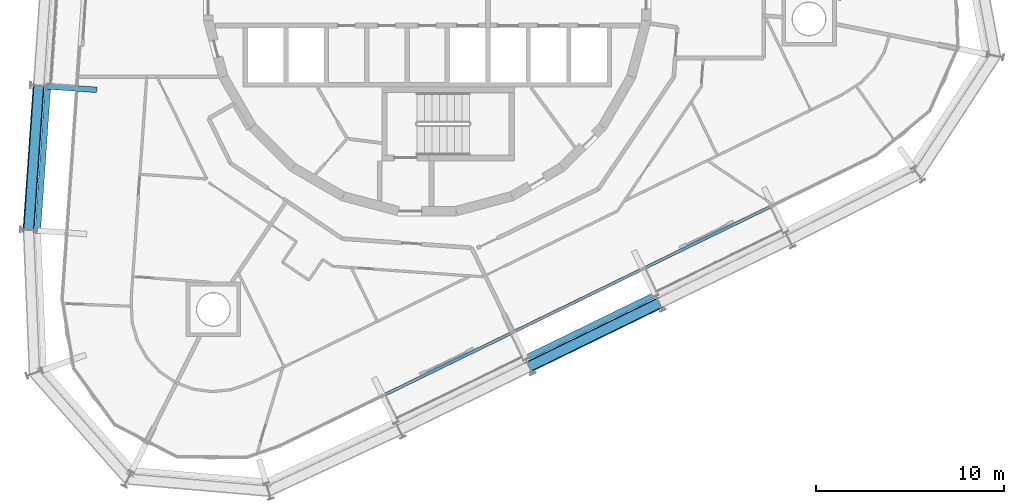
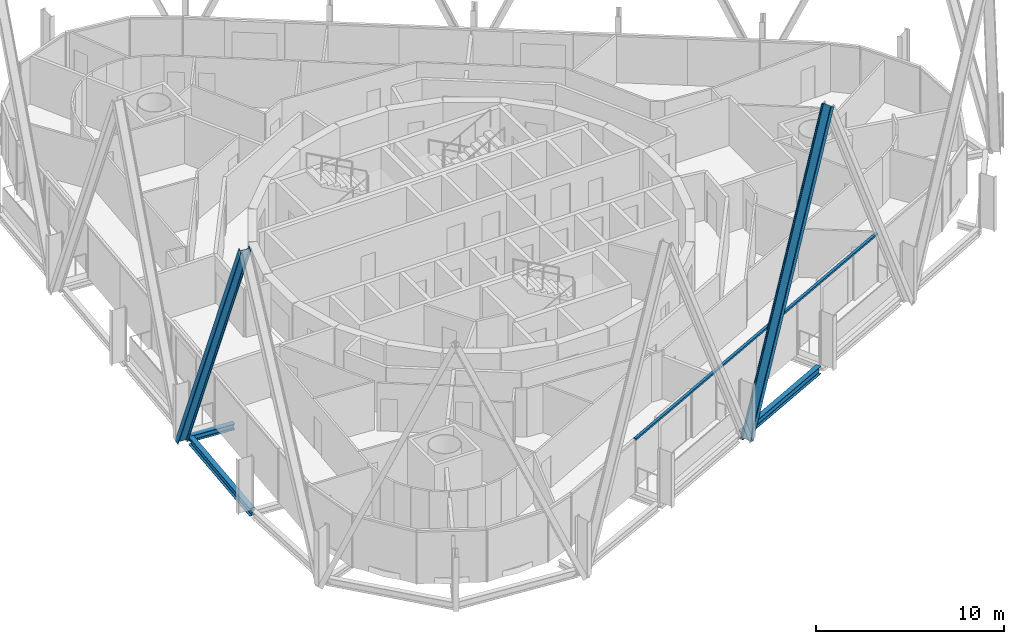
# One storey, part 3 of 18: 3 beams, 3 members, 1 element without a shape of its own.
"""IFC4 building model written with IfcOpenShell, lengths in metres."""

from ifc_helpers import new_model, si_unit, direction, frame, origin, origin_2d, place, context, subcontext, project, spatial, rectangle, i_section, extrude, material, layer, layer_set, material_profile, profile_set, type_object, element, aggregate, save


model = new_model("IFC4")

# Units and contexts
model_context = context("Model", 3, precision=1e-05, world=origin(), true_north=direction((0.0, 1.0)))
body_context = subcontext(model_context, "Body", "Model", "MODEL_VIEW")
ifc_project = project(units=[si_unit("LENGTHUNIT", "METRE"), si_unit("AREAUNIT", "SQUARE_METRE"), si_unit("VOLUMEUNIT", "CUBIC_METRE"), si_unit("PLANEANGLEUNIT", "RADIAN"), si_unit("MASSUNIT", "GRAM", prefix="KILO")], contexts=[model_context])

# Site, building, storey
site_placement = place(None, origin())
site = spatial("IfcSite", under=ifc_project, at=site_placement, CompositionType="ELEMENT")
building_placement = place(site_placement, origin())
building = spatial("IfcBuilding", under=site, at=building_placement, Name="Spindle Arch Residences", CompositionType="ELEMENT")
storey_placement = place(building_placement, frame((0.0, 0.0, 202.39990234375)))
storey = spatial("IfcBuildingStorey", under=building, at=storey_placement, Name="L51", CompositionType="ELEMENT", Elevation=202.39990234375)

# Curtain wall, member
ifc_material_1 = material(Name="Aluminium bronze unitised frame with tinted glass", Category="aluminium")
ifc_layer = layer(ifc_material_1, 0.159912109375)
ifc_layer_set = layer_set([ifc_layer], Name="CW-C typical residential unitised wall")
curtain_wall_type = type_object("IfcCurtainWallType", Name="CW-C typical residential unitised wall", PredefinedType="NOTDEFINED", material=ifc_layer_set)
curtain_wall_placement = place(storey_placement, origin())
curtain_wall = element("IfcCurtainWall", 1, at=curtain_wall_placement, inside=storey, type_object=curtain_wall_type, Name="CW-C L51 run 6", PredefinedType="NOTDEFINED")
ifc_material_2 = material(Name="Aluminium bronze anodised transom", Category="aluminium")
ifc_material_profile_1 = material_profile(ifc_material_2, rectangle(XDim=0.159912109375, YDim=0.1201171875, at=origin_2d()), Name="TR 120x160")
ifc_profile_set_1 = profile_set([ifc_material_profile_1], Name="Aluminium bronze anodised transom")
member_type_1 = type_object("IfcMemberType", Name="Bronze transom 120x160", PredefinedType="USERDEFINED", material=ifc_profile_set_1)
member_placement = place(storey_placement, frame((-2.340576171875, -21.45849609375, 3.06005859375), z_axis=(0.898793313451, 0.438372649347, 0.0), x_axis=(-0.438372649347, 0.898793313451, 0.0)))
member = element("IfcMember", 2, at=member_placement, type_object=member_type_1, Name="CW-C transom 00", ObjectType="TRANSOM", PredefinedType="USERDEFINED", context=body_context, shape_type="SweptSolid", body=[
    extrude(rectangle(XDim=0.159912109375, YDim=0.1201171875, at=origin_2d()), origin(), (0.0, 0.0, 1.0), 23.02099609375),
])
aggregate(curtain_wall, [member])

# Members
ifc_material_3 = material(Name="Steel S460ML, intumescent coating R 240", Category="steel")
ifc_material_profile_2 = material_profile(ifc_material_3, i_section(OverallWidth=0.304931640625, OverallDepth=0.6201171875, WebThickness=0.02099609375, FlangeThickness=0.0400390625, FilletRadius=0.027099609375, at=origin_2d()), Name="HEM 600")
ifc_profile_set_2 = profile_set([ifc_material_profile_2], Name="Steel S460ML, intumescent coating R 240")
member_type_2 = type_object("IfcMemberType", Name="Diagrid diagonal HEM 600", PredefinedType="BRACE", material=ifc_profile_set_2)
for number, where, z_axis, x_axis, name in (
    (3, (-20.6787109375, -4.981201171875, -0.6298828125), (-0.028379331728, -0.405883836306, 0.913483948932), (0.063715094162, 0.911259190205, 0.406874765798), "Diagrid diagonal 5.2.16"),
    (4, (5.43310546875, -19.91455078125, -0.6298828125), (0.36569159035, 0.178359059037, 0.913486566298), (-0.82103685945, -0.400444980279, 0.406868889439), "Diagrid diagonal 5.2.22"),
):
    element("IfcMember", number, at=place(storey_placement, frame(where, z_axis=z_axis, x_axis=x_axis)), inside=storey, type_object=member_type_2, Name=name, PredefinedType="BRACE", context=body_context, shape_type="SweptSolid", body=[
        extrude(i_section(OverallWidth=0.304931640625, OverallDepth=0.6201171875, WebThickness=0.02099609375, FlangeThickness=0.0400390625, FilletRadius=0.027099609375, at=origin_2d()), origin(), (0.0, 0.0, 1.0), 18.908935546875),
    ])

# Beams
ifc_material_4 = material(Name="Steel S460ML, intumescent coating R 120", Category="steel")
ifc_material_profile_3 = material_profile(ifc_material_4, i_section(OverallWidth=0.300048828125, OverallDepth=0.5, WebThickness=0.014404296875, FlangeThickness=0.028076171875, FilletRadius=0.027099609375, at=origin_2d()), Name="HEB 500")
ifc_profile_set_3 = profile_set([ifc_material_profile_3], Name="Steel S460ML, intumescent coating R 120")
beam_type_1 = type_object("IfcBeamType", Name="Exoskeleton edge beam HEB 500", PredefinedType="BEAM", material=ifc_profile_set_3)
beam_1_placement = place(storey_placement, frame((-20.198974609375, -5.14501953125, -0.6298828125), z_axis=(-0.069725196579, -0.99756623688, 0.0), x_axis=(0.99756623688, -0.069725196579, 0.0)))
element("IfcBeam", 5, at=beam_1_placement, inside=storey, type_object=beam_type_1, Name="Exoskeleton edge beam 16", PredefinedType="BEAM", context=body_context, shape_type="SweptSolid", body=[
    extrude(i_section(OverallWidth=0.300048828125, OverallDepth=0.5, WebThickness=0.014404296875, FlangeThickness=0.028076171875, FilletRadius=0.027099609375, at=origin_2d()), origin(), (0.0, 0.0, 1.0), 7.43359375),
])
beam_2_placement = place(storey_placement, frame((5.3349609375, -19.417236328125, -0.6298828125), z_axis=(0.898791170385, 0.438377043238, 0.0), x_axis=(-0.438377043238, 0.898791170385, 0.0)))
element("IfcBeam", 6, at=beam_2_placement, inside=storey, type_object=beam_type_1, Name="Exoskeleton edge beam 22", PredefinedType="BEAM", context=body_context, shape_type="SweptSolid", body=[
    extrude(i_section(OverallWidth=0.300048828125, OverallDepth=0.5, WebThickness=0.014404296875, FlangeThickness=0.028076171875, FilletRadius=0.027099609375, at=origin_2d()), origin(), (0.0, 0.0, 1.0), 7.433837890625),
])
ifc_material_5 = material(Name="Steel S460ML, intumescent coating R 120", Category="steel")
ifc_material_profile_4 = material_profile(ifc_material_5, i_section(OverallWidth=0.300048828125, OverallDepth=0.389892578125, WebThickness=0.010986328125, FlangeThickness=0.01904296875, FilletRadius=0.027099609375, at=origin_2d()), Name="HEA 400")
ifc_profile_set_4 = profile_set([ifc_material_profile_4], Name="Steel S460ML, intumescent coating R 120")
beam_type_2 = type_object("IfcBeamType", Name="Floor outrigger HEA 400", PredefinedType="BEAM", material=ifc_profile_set_4)
beam_3_placement = place(storey_placement, frame((-20.229736328125, -5.012451171875, -0.574951171875), z_axis=(0.997565124092, -0.069741115528, 0.0), x_axis=(0.069741115528, 0.997565124092, 0.0)))
element("IfcBeam", 7, at=beam_3_placement, inside=storey, type_object=beam_type_2, Name="Floor outrigger 16", PredefinedType="BEAM", context=body_context, shape_type="SweptSolid", body=[
    extrude(i_section(OverallWidth=0.300048828125, OverallDepth=0.389892578125, WebThickness=0.010986328125, FlangeThickness=0.01904296875, FilletRadius=0.027099609375, at=origin_2d()), origin(), (0.0, 0.0, 1.0), 2.64990234375),
])

save(model, "model.ifc")
